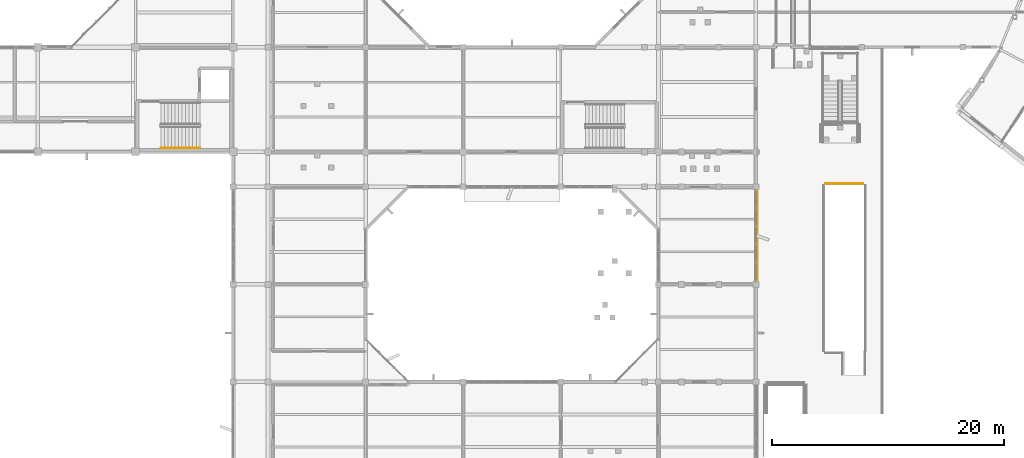
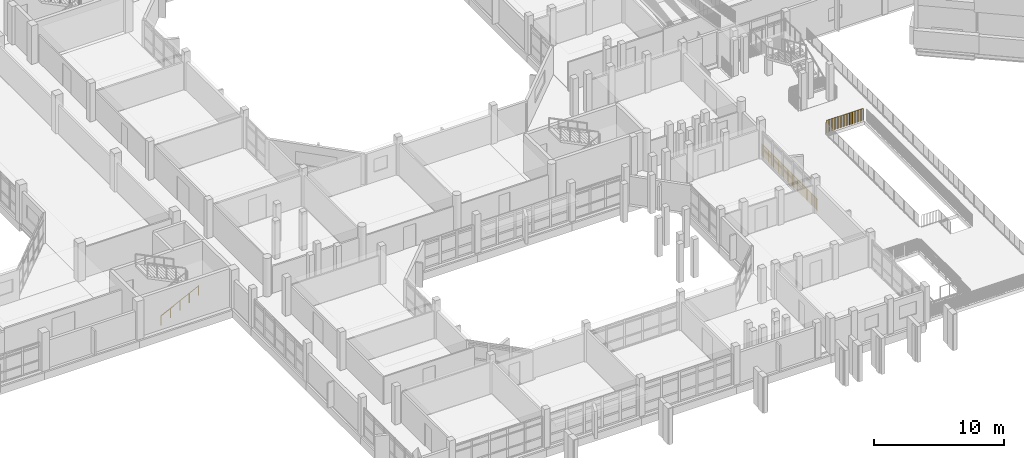
# One storey, part 84 of 104: 3 railings.
"""IFC4 building model written with IfcOpenShell, lengths in metres."""

from ifc_helpers import new_model, si_unit, direction, frame, origin, origin_2d, place, context, subcontext, project, spatial, circle, extrude, material, type_object, element, save


model = new_model("IFC4")

# Units and contexts
model_context = context("Model", 3, precision=1e-05, world=origin(), true_north=direction((0.0, 1.0)))
body_context = subcontext(model_context, "Body", "Model", "MODEL_VIEW")
ifc_project = project(units=[si_unit("LENGTHUNIT", "METRE"), si_unit("AREAUNIT", "SQUARE_METRE"), si_unit("VOLUMEUNIT", "CUBIC_METRE"), si_unit("PLANEANGLEUNIT", "RADIAN"), si_unit("MASSUNIT", "GRAM", prefix="KILO")], contexts=[model_context])

# Site, building, storey
site_placement = place(None, origin())
site = spatial("IfcSite", under=ifc_project, at=site_placement, CompositionType="ELEMENT")
building_placement = place(site_placement, origin())
building = spatial("IfcBuilding", under=site, at=building_placement, Name="Vanh Quang Courtyard School", CompositionType="ELEMENT")
storey_placement = place(building_placement, frame((0.0, 0.0, 4.199951171875)))
storey = spatial("IfcBuildingStorey", under=building, at=storey_placement, Name="L01", CompositionType="ELEMENT", Elevation=4.199951171875)

# Railings
ifc_material_1 = material(Name="Galvanised painted steel EN 10025-2 S355J2", Category="steel")
railing_type_1 = type_object("IfcRailingType", Name="RAIL-GUARD-1150", PredefinedType="BALUSTRADE", material=ifc_material_1)
railing_1_placement = place(storey_placement, frame((119.5400390625, 20.894775390625, 0.0)))
element("IfcRailing", 1, at=railing_1_placement, inside=storey, type_object=railing_type_1, Name="Railing GR-01 (L01)", PredefinedType="BALUSTRADE", context=body_context, shape_type="SweptSolid", body=[
    extrude(circle(Radius=0.02392578125, at=origin_2d()), frame((0.0, 0.0, 1.1259765625), z_axis=(0.0, 1.0, 0.0), x_axis=(-1.0, 0.0, 0.0)), (0.0, 0.0, 1.0), 8.610595703125),
    extrude(circle(Radius=0.02099609375, at=origin_2d()), origin(), (0.0, 0.0, 1.0), 1.101806640625),
    extrude(circle(Radius=0.02099609375, at=origin_2d()), frame((0.0, 0.138916015625, 0.0)), (0.0, 0.0, 1.0), 1.101806640625),
    extrude(circle(Radius=0.02099609375, at=origin_2d()), frame((0.0, 0.27783203125, 0.0)), (0.0, 0.0, 1.0), 1.101806640625),
    extrude(circle(Radius=0.02099609375, at=origin_2d()), frame((0.0, 0.416748046875, 0.0)), (0.0, 0.0, 1.0), 1.101806640625),
    extrude(circle(Radius=0.02099609375, at=origin_2d()), frame((0.0, 0.555419921875, 0.0)), (0.0, 0.0, 1.0), 1.101806640625),
    extrude(circle(Radius=0.02099609375, at=origin_2d()), frame((0.0, 0.6943359375, 0.0)), (0.0, 0.0, 1.0), 1.101806640625),
    extrude(circle(Radius=0.02099609375, at=origin_2d()), frame((0.0, 0.833251953125, 0.0)), (0.0, 0.0, 1.0), 1.101806640625),
    extrude(circle(Radius=0.02099609375, at=origin_2d()), frame((0.0, 0.97216796875, 0.0)), (0.0, 0.0, 1.0), 1.101806640625),
    extrude(circle(Radius=0.02099609375, at=origin_2d()), frame((0.0, 1.111083984375, 0.0)), (0.0, 0.0, 1.0), 1.101806640625),
    extrude(circle(Radius=0.02099609375, at=origin_2d()), frame((0.0, 1.25, 0.0)), (0.0, 0.0, 1.0), 1.101806640625),
    extrude(circle(Radius=0.02099609375, at=origin_2d()), frame((0.0, 1.388916015625, 0.0)), (0.0, 0.0, 1.0), 1.101806640625),
    extrude(circle(Radius=0.02099609375, at=origin_2d()), frame((0.0, 1.527587890625, 0.0)), (0.0, 0.0, 1.0), 1.101806640625),
    extrude(circle(Radius=0.02099609375, at=origin_2d()), frame((0.0, 1.66650390625, 0.0)), (0.0, 0.0, 1.0), 1.101806640625),
    extrude(circle(Radius=0.02099609375, at=origin_2d()), frame((0.0, 1.805419921875, 0.0)), (0.0, 0.0, 1.0), 1.101806640625),
    extrude(circle(Radius=0.02099609375, at=origin_2d()), frame((0.0, 1.9443359375, 0.0)), (0.0, 0.0, 1.0), 1.101806640625),
    extrude(circle(Radius=0.02099609375, at=origin_2d()), frame((0.0, 2.083251953125, 0.0)), (0.0, 0.0, 1.0), 1.101806640625),
    extrude(circle(Radius=0.02099609375, at=origin_2d()), frame((0.0, 2.22216796875, 0.0)), (0.0, 0.0, 1.0), 1.101806640625),
    extrude(circle(Radius=0.02099609375, at=origin_2d()), frame((0.0, 2.361083984375, 0.0)), (0.0, 0.0, 1.0), 1.101806640625),
    extrude(circle(Radius=0.02099609375, at=origin_2d()), frame((0.0, 2.499755859375, 0.0)), (0.0, 0.0, 1.0), 1.101806640625),
    extrude(circle(Radius=0.02099609375, at=origin_2d()), frame((0.0, 2.638671875, 0.0)), (0.0, 0.0, 1.0), 1.101806640625),
    extrude(circle(Radius=0.02099609375, at=origin_2d()), frame((0.0, 2.777587890625, 0.0)), (0.0, 0.0, 1.0), 1.101806640625),
    extrude(circle(Radius=0.02099609375, at=origin_2d()), frame((0.0, 2.91650390625, 0.0)), (0.0, 0.0, 1.0), 1.101806640625),
    extrude(circle(Radius=0.02099609375, at=origin_2d()), frame((0.0, 3.055419921875, 0.0)), (0.0, 0.0, 1.0), 1.101806640625),
    extrude(circle(Radius=0.02099609375, at=origin_2d()), frame((0.0, 3.1943359375, 0.0)), (0.0, 0.0, 1.0), 1.101806640625),
    extrude(circle(Radius=0.02099609375, at=origin_2d()), frame((0.0, 3.333251953125, 0.0)), (0.0, 0.0, 1.0), 1.101806640625),
    extrude(circle(Radius=0.02099609375, at=origin_2d()), frame((0.0, 3.471923828125, 0.0)), (0.0, 0.0, 1.0), 1.101806640625),
    extrude(circle(Radius=0.02099609375, at=origin_2d()), frame((0.0, 3.61083984375, 0.0)), (0.0, 0.0, 1.0), 1.101806640625),
    extrude(circle(Radius=0.02099609375, at=origin_2d()), frame((0.0, 3.749755859375, 0.0)), (0.0, 0.0, 1.0), 1.101806640625),
    extrude(circle(Radius=0.02099609375, at=origin_2d()), frame((0.0, 3.888671875, 0.0)), (0.0, 0.0, 1.0), 1.101806640625),
    extrude(circle(Radius=0.02099609375, at=origin_2d()), frame((0.0, 4.027587890625, 0.0)), (0.0, 0.0, 1.0), 1.101806640625),
    extrude(circle(Radius=0.02099609375, at=origin_2d()), frame((0.0, 4.16650390625, 0.0)), (0.0, 0.0, 1.0), 1.101806640625),
    extrude(circle(Radius=0.02099609375, at=origin_2d()), frame((0.0, 4.30517578125, 0.0)), (0.0, 0.0, 1.0), 1.101806640625),
    extrude(circle(Radius=0.02099609375, at=origin_2d()), frame((0.0, 4.444091796875, 0.0)), (0.0, 0.0, 1.0), 1.101806640625),
    extrude(circle(Radius=0.02099609375, at=origin_2d()), frame((0.0, 4.5830078125, 0.0)), (0.0, 0.0, 1.0), 1.101806640625),
    extrude(circle(Radius=0.02099609375, at=origin_2d()), frame((0.0, 4.721923828125, 0.0)), (0.0, 0.0, 1.0), 1.101806640625),
    extrude(circle(Radius=0.02099609375, at=origin_2d()), frame((0.0, 4.86083984375, 0.0)), (0.0, 0.0, 1.0), 1.101806640625),
    extrude(circle(Radius=0.02099609375, at=origin_2d()), frame((0.0, 4.999755859375, 0.0)), (0.0, 0.0, 1.0), 1.101806640625),
    extrude(circle(Radius=0.02099609375, at=origin_2d()), frame((0.0, 5.138671875, 0.0)), (0.0, 0.0, 1.0), 1.101806640625),
    extrude(circle(Radius=0.02099609375, at=origin_2d()), frame((0.0, 5.27734375, 0.0)), (0.0, 0.0, 1.0), 1.101806640625),
    extrude(circle(Radius=0.02099609375, at=origin_2d()), frame((0.0, 5.416259765625, 0.0)), (0.0, 0.0, 1.0), 1.101806640625),
    extrude(circle(Radius=0.02099609375, at=origin_2d()), frame((0.0, 5.55517578125, 0.0)), (0.0, 0.0, 1.0), 1.101806640625),
    extrude(circle(Radius=0.02099609375, at=origin_2d()), frame((0.0, 5.694091796875, 0.0)), (0.0, 0.0, 1.0), 1.101806640625),
    extrude(circle(Radius=0.02099609375, at=origin_2d()), frame((0.0, 5.8330078125, 0.0)), (0.0, 0.0, 1.0), 1.101806640625),
    extrude(circle(Radius=0.02099609375, at=origin_2d()), frame((0.0, 5.971923828125, 0.0)), (0.0, 0.0, 1.0), 1.101806640625),
    extrude(circle(Radius=0.02099609375, at=origin_2d()), frame((0.0, 6.11083984375, 0.0)), (0.0, 0.0, 1.0), 1.101806640625),
    extrude(circle(Radius=0.02099609375, at=origin_2d()), frame((0.0, 6.24951171875, 0.0)), (0.0, 0.0, 1.0), 1.101806640625),
    extrude(circle(Radius=0.02099609375, at=origin_2d()), frame((0.0, 6.388427734375, 0.0)), (0.0, 0.0, 1.0), 1.101806640625),
    extrude(circle(Radius=0.02099609375, at=origin_2d()), frame((0.0, 6.52734375, 0.0)), (0.0, 0.0, 1.0), 1.101806640625),
    extrude(circle(Radius=0.02099609375, at=origin_2d()), frame((0.0, 6.666259765625, 0.0)), (0.0, 0.0, 1.0), 1.101806640625),
    extrude(circle(Radius=0.02099609375, at=origin_2d()), frame((0.0, 6.80517578125, 0.0)), (0.0, 0.0, 1.0), 1.101806640625),
    extrude(circle(Radius=0.02099609375, at=origin_2d()), frame((0.0, 6.944091796875, 0.0)), (0.0, 0.0, 1.0), 1.101806640625),
    extrude(circle(Radius=0.02099609375, at=origin_2d()), frame((0.0, 7.0830078125, 0.0)), (0.0, 0.0, 1.0), 1.101806640625),
    extrude(circle(Radius=0.02099609375, at=origin_2d()), frame((0.0, 7.2216796875, 0.0)), (0.0, 0.0, 1.0), 1.101806640625),
    extrude(circle(Radius=0.02099609375, at=origin_2d()), frame((0.0, 7.360595703125, 0.0)), (0.0, 0.0, 1.0), 1.101806640625),
    extrude(circle(Radius=0.02099609375, at=origin_2d()), frame((0.0, 7.49951171875, 0.0)), (0.0, 0.0, 1.0), 1.101806640625),
    extrude(circle(Radius=0.02099609375, at=origin_2d()), frame((0.0, 7.638427734375, 0.0)), (0.0, 0.0, 1.0), 1.101806640625),
    extrude(circle(Radius=0.02099609375, at=origin_2d()), frame((0.0, 7.77734375, 0.0)), (0.0, 0.0, 1.0), 1.101806640625),
    extrude(circle(Radius=0.02099609375, at=origin_2d()), frame((0.0, 7.916259765625, 0.0)), (0.0, 0.0, 1.0), 1.101806640625),
    extrude(circle(Radius=0.02099609375, at=origin_2d()), frame((0.0, 8.05517578125, 0.0)), (0.0, 0.0, 1.0), 1.101806640625),
    extrude(circle(Radius=0.02099609375, at=origin_2d()), frame((0.0, 8.19384765625, 0.0)), (0.0, 0.0, 1.0), 1.101806640625),
    extrude(circle(Radius=0.02099609375, at=origin_2d()), frame((0.0, 8.332763671875, 0.0)), (0.0, 0.0, 1.0), 1.101806640625),
    extrude(circle(Radius=0.02099609375, at=origin_2d()), frame((0.0, 8.4716796875, 0.0)), (0.0, 0.0, 1.0), 1.101806640625),
    extrude(circle(Radius=0.02099609375, at=origin_2d()), frame((0.0, 8.610595703125, 0.0)), (0.0, 0.0, 1.0), 1.101806640625),
])
railing_2_placement = place(storey_placement, frame((128.6298828125, 29.68994140625, 0.0)))
element("IfcRailing", 2, at=railing_2_placement, inside=storey, type_object=railing_type_1, Name="Railing GR-01 (L01)", PredefinedType="BALUSTRADE", context=body_context, shape_type="SweptSolid", body=[
    extrude(circle(Radius=0.02392578125, at=origin_2d()), frame((0.0, 0.0, 1.1259765625), z_axis=(-1.0, 0.0, 0.0), x_axis=(0.0, -1.0, 0.0)), (0.0, 0.0, 1.0), 3.22998046875),
    extrude(circle(Radius=0.02099609375, at=origin_2d()), origin(), (0.0, 0.0, 1.0), 1.101806640625),
    extrude(circle(Radius=0.02099609375, at=origin_2d()), frame((-0.134521484375, 0.0, 0.0)), (0.0, 0.0, 1.0), 1.101806640625),
    extrude(circle(Radius=0.02099609375, at=origin_2d()), frame((-0.26904296875, 0.0, 0.0)), (0.0, 0.0, 1.0), 1.101806640625),
    extrude(circle(Radius=0.02099609375, at=origin_2d()), frame((-0.40380859375, 0.0, 0.0)), (0.0, 0.0, 1.0), 1.101806640625),
    extrude(circle(Radius=0.02099609375, at=origin_2d()), frame((-0.538330078125, 0.0, 0.0)), (0.0, 0.0, 1.0), 1.101806640625),
    extrude(circle(Radius=0.02099609375, at=origin_2d()), frame((-0.6728515625, 0.0, 0.0)), (0.0, 0.0, 1.0), 1.101806640625),
    extrude(circle(Radius=0.02099609375, at=origin_2d()), frame((-0.8076171875, 0.0, 0.0)), (0.0, 0.0, 1.0), 1.101806640625),
    extrude(circle(Radius=0.02099609375, at=origin_2d()), frame((-0.942138671875, 0.0, 0.0)), (0.0, 0.0, 1.0), 1.101806640625),
    extrude(circle(Radius=0.02099609375, at=origin_2d()), frame((-1.07666015625, 0.0, 0.0)), (0.0, 0.0, 1.0), 1.101806640625),
    extrude(circle(Radius=0.02099609375, at=origin_2d()), frame((-1.211181640625, 0.0, 0.0)), (0.0, 0.0, 1.0), 1.101806640625),
    extrude(circle(Radius=0.02099609375, at=origin_2d()), frame((-1.345703125, 0.0, 0.0)), (0.0, 0.0, 1.0), 1.101806640625),
    extrude(circle(Radius=0.02099609375, at=origin_2d()), frame((-1.48046875, 0.0, 0.0)), (0.0, 0.0, 1.0), 1.101806640625),
    extrude(circle(Radius=0.02099609375, at=origin_2d()), frame((-1.614990234375, 0.0, 0.0)), (0.0, 0.0, 1.0), 1.101806640625),
    extrude(circle(Radius=0.02099609375, at=origin_2d()), frame((-1.74951171875, 0.0, 0.0)), (0.0, 0.0, 1.0), 1.101806640625),
    extrude(circle(Radius=0.02099609375, at=origin_2d()), frame((-1.88427734375, 0.0, 0.0)), (0.0, 0.0, 1.0), 1.101806640625),
    extrude(circle(Radius=0.02099609375, at=origin_2d()), frame((-2.018798828125, 0.0, 0.0)), (0.0, 0.0, 1.0), 1.101806640625),
    extrude(circle(Radius=0.02099609375, at=origin_2d()), frame((-2.1533203125, 0.0, 0.0)), (0.0, 0.0, 1.0), 1.101806640625),
    extrude(circle(Radius=0.02099609375, at=origin_2d()), frame((-2.287841796875, 0.0, 0.0)), (0.0, 0.0, 1.0), 1.101806640625),
    extrude(circle(Radius=0.02099609375, at=origin_2d()), frame((-2.42236328125, 0.0, 0.0)), (0.0, 0.0, 1.0), 1.101806640625),
    extrude(circle(Radius=0.02099609375, at=origin_2d()), frame((-2.55712890625, 0.0, 0.0)), (0.0, 0.0, 1.0), 1.101806640625),
    extrude(circle(Radius=0.02099609375, at=origin_2d()), frame((-2.691650390625, 0.0, 0.0)), (0.0, 0.0, 1.0), 1.101806640625),
    extrude(circle(Radius=0.02099609375, at=origin_2d()), frame((-2.826171875, 0.0, 0.0)), (0.0, 0.0, 1.0), 1.101806640625),
    extrude(circle(Radius=0.02099609375, at=origin_2d()), frame((-2.9609375, 0.0, 0.0)), (0.0, 0.0, 1.0), 1.101806640625),
    extrude(circle(Radius=0.02099609375, at=origin_2d()), frame((-3.095458984375, 0.0, 0.0)), (0.0, 0.0, 1.0), 1.101806640625),
    extrude(circle(Radius=0.02099609375, at=origin_2d()), frame((-3.22998046875, 0.0, 0.0)), (0.0, 0.0, 1.0), 1.101806640625),
])
ifc_material_2 = material(Name="Brushed stainless steel", Category="steel")
railing_type_2 = type_object("IfcRailingType", Name="RAIL-HAND-900", PredefinedType="HANDRAIL", material=ifc_material_2)
railing_3_placement = place(storey_placement, frame((68.179931640625, 32.72998046875, 0.150146484375)))
element("IfcRailing", 3, at=railing_3_placement, inside=storey, type_object=railing_type_2, Name="L01 ST-04 stair handrail 1", PredefinedType="HANDRAIL", context=body_context, shape_type="SweptSolid", body=[
    extrude(circle(Radius=0.02392578125, at=origin_2d()), frame((0.0, 0.0, 0.8759765625), z_axis=(0.897359292542, 0.0, 0.441300691239), x_axis=(0.0, 1.0, 0.0)), (0.0, 0.0, 1.0), 3.73876953125),
    extrude(circle(Radius=0.02099609375, at=origin_2d()), origin(), (0.0, 0.0, 1.0), 0.851806640625),
    extrude(circle(Radius=0.02099609375, at=origin_2d()), frame((0.8388671875, 0.0, 0.41259765625)), (0.0, 0.0, 1.0), 0.851806640625),
    extrude(circle(Radius=0.02099609375, at=origin_2d()), frame((1.677490234375, 0.0, 0.824951171875)), (0.0, 0.0, 1.0), 0.851806640625),
    extrude(circle(Radius=0.02099609375, at=origin_2d()), frame((2.51611328125, 0.0, 1.2373046875)), (0.0, 0.0, 1.0), 0.851806640625),
    extrude(circle(Radius=0.02099609375, at=origin_2d()), frame((3.35498046875, 0.0, 1.64990234375)), (0.0, 0.0, 1.0), 0.851806640625),
])

save(model, "model.ifc")
